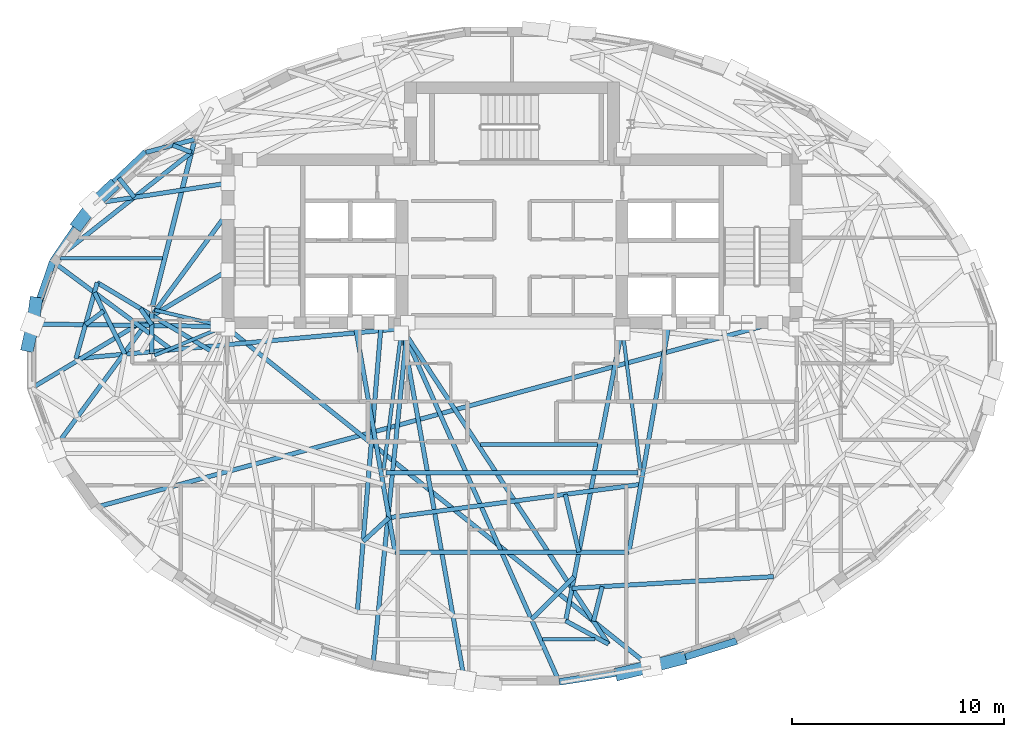
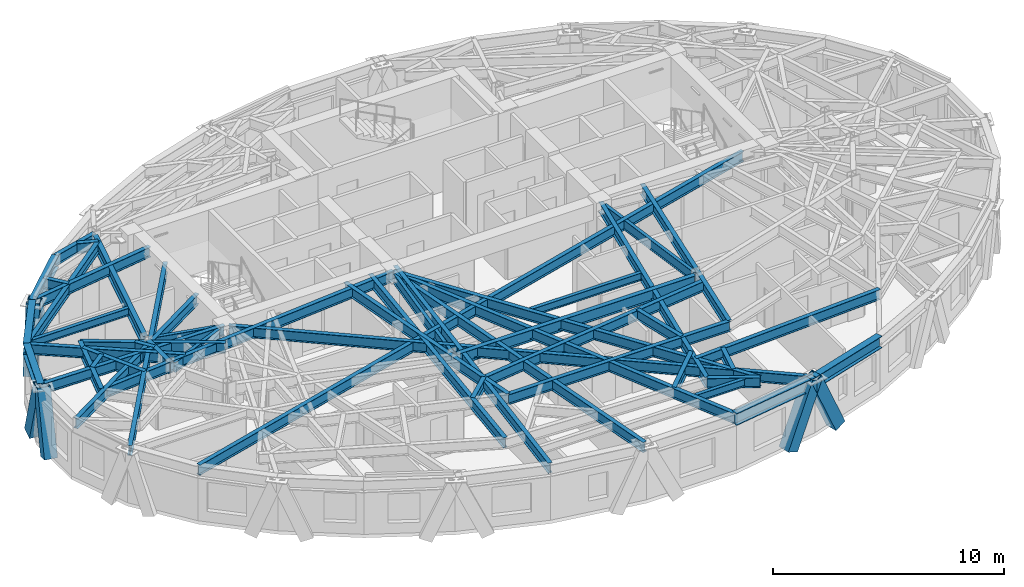
# One storey, part 2 of 14: 48 beams, 6 members.
"""IFC4 building model written with IfcOpenShell, lengths in metres."""

from ifc_helpers import new_model, si_unit, direction, frame, origin, origin_2d, place, context, subcontext, project, spatial, hollow_rectangle, i_section, extrude, material, material_profile, profile_set, type_object, element, save


model = new_model("IFC4")

# Units and contexts
model_context = context("Model", 3, precision=1e-05, world=origin(), true_north=direction((0.0, 1.0)))
body_context = subcontext(model_context, "Body", "Model", "MODEL_VIEW")
ifc_project = project(units=[si_unit("LENGTHUNIT", "METRE"), si_unit("AREAUNIT", "SQUARE_METRE"), si_unit("VOLUMEUNIT", "CUBIC_METRE"), si_unit("PLANEANGLEUNIT", "RADIAN"), si_unit("MASSUNIT", "GRAM", prefix="KILO")], contexts=[model_context])

# Site, building, storey
site_placement = place(None, origin())
site = spatial("IfcSite", under=ifc_project, at=site_placement, CompositionType="ELEMENT")
building_placement = place(site_placement, origin())
building = spatial("IfcBuilding", under=site, at=building_placement, Name="Keldmark Tower", CompositionType="ELEMENT")
storey_placement = place(building_placement, frame((0.0, 0.0, 222.60009765625)))
storey = spatial("IfcBuildingStorey", under=building, at=storey_placement, Name="L62", CompositionType="ELEMENT", Elevation=222.60009765625)

# Beams
ifc_material_1 = material(Name="Steel ASTM A992 Grade 50", Category="steel")
ifc_material_profile_1 = material_profile(ifc_material_1, i_section(OverallWidth=0.177978515625, OverallDepth=0.403076171875, WebThickness=0.007568359375, FlangeThickness=0.010986328125, at=origin_2d()), Name="W16X36")
ifc_profile_set_1 = profile_set([ifc_material_profile_1], Name="Steel ASTM A992 Grade 50")
beam_type_1 = type_object("IfcBeamType", Name="Composite Floor Joist W16X36", PredefinedType="JOIST", material=ifc_profile_set_1)
beam_1_placement = place(storey_placement, frame((1.4423828125, -13.3798828125, 2.768310546875), z_axis=(1.0, 0.0, 0.0), x_axis=(0.0, 1.0, 0.0)))
element("IfcBeam", 1, at=beam_1_placement, inside=storey, type_object=beam_type_1, Name="L62 Composite Floor Joist J03", PredefinedType="JOIST", context=body_context, shape_type="SweptSolid", body=[
    extrude(i_section(OverallWidth=0.177978515625, OverallDepth=0.403076171875, WebThickness=0.007568359375, FlangeThickness=0.010986328125, at=origin_2d()), origin(), (0.0, 0.0, 1.0), 2.47802734375),
])
beam_2_placement = place(storey_placement, frame((-1.498291015625, -4.179931640625, 2.768310546875), z_axis=(1.0, 0.0, 0.0), x_axis=(0.0, 1.0, 0.0)))
element("IfcBeam", 2, at=beam_2_placement, inside=storey, type_object=beam_type_1, Name="L62 Composite Floor Joist J06", PredefinedType="JOIST", context=body_context, shape_type="SweptSolid", body=[
    extrude(i_section(OverallWidth=0.177978515625, OverallDepth=0.403076171875, WebThickness=0.007568359375, FlangeThickness=0.010986328125, at=origin_2d()), origin(), (0.0, 0.0, 1.0), 5.544677734375),
])
beam_3_placement = place(storey_placement, frame((-21.3544921875, 4.6201171875, 2.768310546875), z_axis=(1.0, 0.0, 0.0), x_axis=(0.0, 1.0, 0.0)))
element("IfcBeam", 3, at=beam_3_placement, inside=storey, type_object=beam_type_1, Name="L62 Composite Floor Joist J07", PredefinedType="JOIST", context=body_context, shape_type="SweptSolid", body=[
    extrude(i_section(OverallWidth=0.177978515625, OverallDepth=0.403076171875, WebThickness=0.007568359375, FlangeThickness=0.010986328125, at=origin_2d()), origin(), (0.0, 0.0, 1.0), 4.82958984375),
])

# Members
ifc_material_2 = material(Name="Steel ASTM A572 Grade 50", Category="steel")
ifc_material_profile_2 = material_profile(ifc_material_2, hollow_rectangle(XDim=0.60009765625, YDim=0.60009765625, WallThickness=0.034912109375, at=origin_2d()), Name="BOX600X600X35")
ifc_profile_set_2 = profile_set([ifc_material_profile_2], Name="Steel ASTM A572 Grade 50")
member_type = type_object("IfcMemberType", Name="Diagrid Zone 4 Brace BOX600X600X35", PredefinedType="BRACE", material=ifc_profile_set_2)
member_1_placement = place(storey_placement, frame((-18.95458984375, 7.965576171875, -0.260009765625), z_axis=(-0.257250878837, -0.242416543261, 0.935444388989), x_axis=(0.685811727675, -0.727779000922, 0.0)))
element("IfcMember", 4, at=member_1_placement, inside=storey, type_object=member_type, Name="L62 Perimeter Diagrid Brace 07A", PredefinedType="BRACE", context=body_context, shape_type="SweptSolid", body=[
    extrude(hollow_rectangle(XDim=0.60009765625, YDim=0.60009765625, WallThickness=0.034912109375, at=origin_2d()), origin(), (0.0, 0.0, 1.0), 3.324462890625),
])
member_2_placement = place(storey_placement, frame((-20.477783203125, 6.272705078125, -0.260009765625), z_axis=(0.204034138195, 0.271233220988, 0.94063946881), x_axis=(-0.799137594781, 0.60114815529, 0.0)))
element("IfcMember", 5, at=member_2_placement, inside=storey, type_object=member_type, Name="L62 Perimeter Diagrid Brace 07B", PredefinedType="BRACE", context=body_context, shape_type="SweptSolid", body=[
    extrude(hollow_rectangle(XDim=0.60009765625, YDim=0.60009765625, WallThickness=0.034912109375, at=origin_2d()), origin(), (0.0, 0.0, 1.0), 3.30615234375),
])
member_3_placement = place(storey_placement, frame((-22.511962890625, 2.50146484375, -0.260009765625), z_axis=(-0.042776945378, -0.306381472655, 0.950947173169), x_axis=(0.990393369826, -0.13827860646, 0.0)))
element("IfcMember", 6, at=member_3_placement, inside=storey, type_object=member_type, Name="L62 Perimeter Diagrid Brace 08A", PredefinedType="BRACE", context=body_context, shape_type="SweptSolid", body=[
    extrude(hollow_rectangle(XDim=0.60009765625, YDim=0.60009765625, WallThickness=0.034912109375, at=origin_2d()), origin(), (0.0, 0.0, 1.0), 3.270263671875),
])
member_4_placement = place(storey_placement, frame((-22.87451171875, 0.504638671875, -0.260009765625), z_axis=(0.068703196543, 0.307152468711, 0.949177134022), x_axis=(-0.97588530932, 0.218283904705, 0.0)))
element("IfcMember", 7, at=member_4_placement, inside=storey, type_object=member_type, Name="L62 Perimeter Diagrid Brace 08B", PredefinedType="BRACE", context=body_context, shape_type="SweptSolid", body=[
    extrude(hollow_rectangle(XDim=0.60009765625, YDim=0.60009765625, WallThickness=0.034912109375, at=origin_2d()), origin(), (0.0, 0.0, 1.0), 3.2763671875),
])
member_5_placement = place(storey_placement, frame((5.163818359375, -14.9990234375, -0.260009765625), z_axis=(0.412280141765, 0.098056970592, 0.905764823353), x_axis=(-0.231386114919, 0.972861997317, 0.0)))
element("IfcMember", 8, at=member_5_placement, inside=storey, type_object=member_type, Name="L62 Perimeter Diagrid Brace 13A", PredefinedType="BRACE", context=body_context, shape_type="SweptSolid", body=[
    extrude(hollow_rectangle(XDim=0.60009765625, YDim=0.60009765625, WallThickness=0.034912109375, at=origin_2d()), origin(), (0.0, 0.0, 1.0), 3.433349609375),
])
member_6_placement = place(storey_placement, frame((7.940673828125, -14.31005859375, -0.260009765625), z_axis=(-0.401657220744, -0.103789425883, 0.90988968128), x_axis=(0.250185252225, -0.968197985729, 0.0)))
element("IfcMember", 9, at=member_6_placement, inside=storey, type_object=member_type, Name="L62 Perimeter Diagrid Brace 13B", PredefinedType="BRACE", context=body_context, shape_type="SweptSolid", body=[
    extrude(hollow_rectangle(XDim=0.60009765625, YDim=0.60009765625, WallThickness=0.034912109375, at=origin_2d()), origin(), (0.0, 0.0, 1.0), 3.417724609375),
])

# Beams
ifc_material_3 = material(Name="Steel ASTM A992 Grade 50", Category="steel")
ifc_material_profile_3 = material_profile(ifc_material_3, i_section(OverallWidth=0.22802734375, OverallDepth=0.60302734375, WebThickness=0.010498046875, FlangeThickness=0.014892578125, at=origin_2d()), Name="W24X68")
ifc_profile_set_3 = profile_set([ifc_material_profile_3], Name="Steel ASTM A992 Grade 50")
beam_type_2 = type_object("IfcBeamType", Name="Primary Floor Girder W24X68", PredefinedType="BEAM", material=ifc_profile_set_3)
beam_4_placement = place(storey_placement, frame((-15.030029296875, 10.10791015625, 2.66845703125), z_axis=(-0.244902129455, -0.969547805417, 0.0), x_axis=(0.969547805417, -0.244902129455, 0.0)))
element("IfcBeam", 10, at=beam_4_placement, inside=storey, type_object=beam_type_2, Name="L62 Floor Ring Girder FG-R05", PredefinedType="BEAM", context=body_context, shape_type="SweptSolid", body=[
    extrude(i_section(OverallWidth=0.22802734375, OverallDepth=0.60302734375, WebThickness=0.010498046875, FlangeThickness=0.014892578125, at=origin_2d()), origin(), (0.0, 0.0, 1.0), 8.008056640625),
])
beam_5_placement = place(storey_placement, frame((-17.025634765625, 2.068115234375, 2.66845703125), z_axis=(0.0, -1.0, 0.0), x_axis=(1.0, 0.0, 0.0)))
element("IfcBeam", 11, at=beam_5_placement, inside=storey, type_object=beam_type_2, Name="L62 Floor Ring Girder FG-R06", PredefinedType="BEAM", context=body_context, shape_type="SweptSolid", body=[
    extrude(i_section(OverallWidth=0.22802734375, OverallDepth=0.60302734375, WebThickness=0.010498046875, FlangeThickness=0.014892578125, at=origin_2d()), origin(), (0.0, 0.0, 1.0), 1.9521484375),
])
beam_6_placement = place(storey_placement, frame((-5.949462890625, -5.512939453125, 2.66845703125), z_axis=(1.0, 0.0, 0.0), x_axis=(0.0, 1.0, 0.0)))
element("IfcBeam", 12, at=beam_6_placement, inside=storey, type_object=beam_type_2, Name="L62 Floor Ring Girder FG-R09", PredefinedType="BEAM", context=body_context, shape_type="SweptSolid", body=[
    extrude(i_section(OverallWidth=0.22802734375, OverallDepth=0.60302734375, WebThickness=0.010498046875, FlangeThickness=0.014892578125, at=origin_2d()), origin(), (0.0, 0.0, 1.0), 11.89892578125),
])
ifc_material_4 = material(Name="Steel ASTM A992 Grade 50", Category="steel")
ifc_material_profile_4 = material_profile(ifc_material_4, i_section(OverallWidth=0.166015625, OverallDepth=0.529052734375, WebThickness=0.009765625, FlangeThickness=0.013671875, at=origin_2d()), Name="W21X50")
ifc_profile_set_4 = profile_set([ifc_material_profile_4], Name="Steel ASTM A992 Grade 50")
beam_type_3 = type_object("IfcBeamType", Name="Radial Tie Girder W21X50", PredefinedType="BEAM", material=ifc_profile_set_4)
beam_7_placement = place(storey_placement, frame((-16.889404296875, 2.17578125, 2.705322265625), z_axis=(0.97329039005, -0.229577474147, 0.0), x_axis=(0.229577474147, 0.97329039005, 0.0)))
element("IfcBeam", 13, at=beam_7_placement, inside=storey, type_object=beam_type_3, Name="L62 Floor Radial Girder FG-C06", PredefinedType="BEAM", context=body_context, shape_type="SweptSolid", body=[
    extrude(i_section(OverallWidth=0.166015625, OverallDepth=0.529052734375, WebThickness=0.009765625, FlangeThickness=0.013671875, at=origin_2d()), origin(), (0.0, 0.0, 1.0), 3.0595703125),
])
beam_8_placement = place(storey_placement, frame((-16.896240234375, 0.02978515625, 2.705322265625), z_axis=(0.923403331902, 0.383831065226, 0.0), x_axis=(-0.383831065226, 0.923403331902, 0.0)))
element("IfcBeam", 14, at=beam_8_placement, inside=storey, type_object=beam_type_3, Name="L62 Floor Radial Girder FG-C07", PredefinedType="BEAM", context=body_context, shape_type="SweptSolid", body=[
    extrude(i_section(OverallWidth=0.166015625, OverallDepth=0.529052734375, WebThickness=0.009765625, FlangeThickness=0.013671875, at=origin_2d()), origin(), (0.0, 0.0, 1.0), 3.249755859375),
])
for number, where, z_axis, x_axis, name in (
    (15, (-6.071533203125, -5.3740234375, 2.705322265625), (0.127625044513, 0.991822488157, 0.0), (-0.991822488157, 0.127625044513, 0.0), "L62 Floor Radial Girder FG-C09"),
    (16, (6.071533203125, -5.3740234375, 2.705322265625), (-0.127625044513, 0.991822488157, 0.0), (-0.991822488157, -0.127625044513, 0.0), "L62 Floor Radial Girder FG-C10"),
):
    element("IfcBeam", number, at=place(storey_placement, frame(where, z_axis=z_axis, x_axis=x_axis)), inside=storey, type_object=beam_type_3, Name=name, PredefinedType="BEAM", context=body_context, shape_type="SweptSolid", body=[
        extrude(i_section(OverallWidth=0.166015625, OverallDepth=0.529052734375, WebThickness=0.009765625, FlangeThickness=0.013671875, at=origin_2d()), origin(), (0.0, 0.0, 1.0), 6.509765625),
    ])
ifc_material_5 = material(Name="Steel ASTM A992 Grade 50", Category="steel")
ifc_material_profile_5 = material_profile(ifc_material_5, i_section(OverallWidth=0.2099609375, OverallDepth=0.537109375, WebThickness=0.010986328125, FlangeThickness=0.017333984375, at=origin_2d()), Name="W21X68")
ifc_profile_set_5 = profile_set([ifc_material_profile_5], Name="Steel ASTM A992 Grade 50")
beam_type_4 = type_object("IfcBeamType", Name="Radial Tie Girder W21X68", PredefinedType="BEAM", material=ifc_profile_set_5)
beam_9_placement = place(storey_placement, frame((-5.199951171875, 1.300048828125, 2.701416015625), z_axis=(-0.99576681231, -0.091915480203, 0.0), x_axis=(0.091915480203, -0.99576681231, 0.0)))
element("IfcBeam", 17, at=beam_9_placement, inside=storey, type_object=beam_type_4, Name="L62 Sub-Ring Step Girder STP1-M07", PredefinedType="BEAM", context=body_context, shape_type="SweptSolid", body=[
    extrude(i_section(OverallWidth=0.2099609375, OverallDepth=0.537109375, WebThickness=0.010986328125, FlangeThickness=0.017333984375, at=origin_2d()), origin(), (0.0, 0.0, 1.0), 15.474609375),
])
beam_10_placement = place(storey_placement, frame((-7.43212890625, 1.574951171875, 2.701416015625), z_axis=(0.17319554844, -0.984887456515, 0.0), x_axis=(0.984887456515, 0.17319554844, 0.0)))
element("IfcBeam", 18, at=beam_10_placement, inside=storey, type_object=beam_type_4, Name="L62 Sub-Ring Step Girder STP1-M09", PredefinedType="BEAM", context=body_context, shape_type="SweptSolid", body=[
    extrude(i_section(OverallWidth=0.2099609375, OverallDepth=0.537109375, WebThickness=0.010986328125, FlangeThickness=0.017333984375, at=origin_2d()), origin(), (0.0, 0.0, 1.0), 11.0048828125),
])
beam_11_placement = place(storey_placement, frame((-5.81201171875, -7.637939453125, 2.701416015625), z_axis=(0.991354260266, 0.131212539997, 0.0), x_axis=(-0.131212539997, 0.991354260266, 0.0)))
element("IfcBeam", 19, at=beam_11_placement, inside=storey, type_object=beam_type_4, Name="L62 Framing Pin Header PH-004", PredefinedType="BEAM", context=body_context, shape_type="SweptSolid", body=[
    extrude(i_section(OverallWidth=0.2099609375, OverallDepth=0.537109375, WebThickness=0.010986328125, FlangeThickness=0.017333984375, at=origin_2d()), origin(), (0.0, 0.0, 1.0), 12.0048828125),
])
beam_12_placement = place(storey_placement, frame((7.43212890625, 1.574951171875, 2.701416015625), z_axis=(-0.17319554844, -0.984887456515, 0.0), x_axis=(0.984887456515, -0.17319554844, 0.0)))
element("IfcBeam", 20, at=beam_12_placement, inside=storey, type_object=beam_type_4, Name="L62 Sub-Ring Step Girder STP1-M10", PredefinedType="BEAM", context=body_context, shape_type="SweptSolid", body=[
    extrude(i_section(OverallWidth=0.2099609375, OverallDepth=0.537109375, WebThickness=0.010986328125, FlangeThickness=0.017333984375, at=origin_2d()), origin(), (0.0, 0.0, 1.0), 11.0048828125),
])
beam_13_placement = place(storey_placement, frame((-5.526123046875, -9.263671875, 2.701416015625), z_axis=(1.0, 0.0, 0.0), x_axis=(0.0, 1.0, 0.0)))
element("IfcBeam", 21, at=beam_13_placement, inside=storey, type_object=beam_type_4, Name="L62 Perimeter Collector Ring Beam CRG1-M09", PredefinedType="BEAM", context=body_context, shape_type="SweptSolid", body=[
    extrude(i_section(OverallWidth=0.2099609375, OverallDepth=0.537109375, WebThickness=0.010986328125, FlangeThickness=0.017333984375, at=origin_2d()), origin(), (0.0, 0.0, 1.0), 11.05224609375),
])
beam_14_placement = place(storey_placement, frame((-5.81201171875, -7.637939453125, 2.701416015625), z_axis=(-0.736191196168, -0.67677361258, 0.0), x_axis=(0.67677361258, -0.736191196168, 0.0)))
element("IfcBeam", 22, at=beam_14_placement, inside=storey, type_object=beam_type_4, Name="L62 Framing Pin Header PH-009", PredefinedType="BEAM", context=body_context, shape_type="SweptSolid", body=[
    extrude(i_section(OverallWidth=0.2099609375, OverallDepth=0.537109375, WebThickness=0.010986328125, FlangeThickness=0.017333984375, at=origin_2d()), origin(), (0.0, 0.0, 1.0), 1.6640625),
])
beam_15_placement = place(storey_placement, frame((-6.1787109375, 1.574951171875, 2.701416015625), z_axis=(-0.082740586348, -0.996571119073, 0.0), x_axis=(0.996571119073, -0.082740586348, 0.0)))
element("IfcBeam", 23, at=beam_15_placement, inside=storey, type_object=beam_type_4, Name="L62 Sub-Ring Step Girder STP2-M09", PredefinedType="BEAM", context=body_context, shape_type="SweptSolid", body=[
    extrude(i_section(OverallWidth=0.2099609375, OverallDepth=0.537109375, WebThickness=0.010986328125, FlangeThickness=0.017333984375, at=origin_2d()), origin(), (0.0, 0.0, 1.0), 13.7177734375),
])
beam_16_placement = place(storey_placement, frame((2.518798828125, -6.535400390625, 2.701416015625), z_axis=(0.230490251207, -0.973074634393, 0.0), x_axis=(0.973074634393, 0.230490251207, 0.0)))
element("IfcBeam", 24, at=beam_16_placement, inside=storey, type_object=beam_type_4, Name="L62 Framing Pin Header PH-010", PredefinedType="BEAM", context=body_context, shape_type="SweptSolid", body=[
    extrude(i_section(OverallWidth=0.2099609375, OverallDepth=0.537109375, WebThickness=0.010986328125, FlangeThickness=0.017333984375, at=origin_2d()), origin(), (0.0, 0.0, 1.0), 2.8037109375),
])
beam_17_placement = place(storey_placement, frame((5.199951171875, 1.300048828125, 2.701416015625), z_axis=(-0.189149272967, -0.981948345147, 0.0), x_axis=(0.981948345147, -0.189149272967, 0.0)))
element("IfcBeam", 25, at=beam_17_placement, inside=storey, type_object=beam_type_4, Name="L62 Sub-Ring Step Girder STP2-M10", PredefinedType="BEAM", context=body_context, shape_type="SweptSolid", body=[
    extrude(i_section(OverallWidth=0.2099609375, OverallDepth=0.537109375, WebThickness=0.010986328125, FlangeThickness=0.017333984375, at=origin_2d()), origin(), (0.0, 0.0, 1.0), 14.067626953125),
])
beam_18_placement = place(storey_placement, frame((-14.995849609375, 10.24365234375, 2.701416015625), z_axis=(-0.966224746964, -0.257700869914, 0.0), x_axis=(0.257700869914, -0.966224746964, 0.0)))
element("IfcBeam", 26, at=beam_18_placement, inside=storey, type_object=beam_type_4, Name="L62 Perimeter Column Bracket RT-13", PredefinedType="BEAM", context=body_context, shape_type="SweptSolid", body=[
    extrude(i_section(OverallWidth=0.2099609375, OverallDepth=0.537109375, WebThickness=0.010986328125, FlangeThickness=0.017333984375, at=origin_2d()), origin(), (0.0, 0.0, 1.0), 2.385498046875),
])
beam_19_placement = place(storey_placement, frame((-16.032958984375, 9.967041015625, 2.701416015625), z_axis=(0.934467252694, -0.35604908881, 0.0), x_axis=(0.35604908881, 0.934467252694, 0.0)))
element("IfcBeam", 27, at=beam_19_placement, inside=storey, type_object=beam_type_4, Name="L62 Framing Pin Header PH-018", PredefinedType="BEAM", context=body_context, shape_type="SweptSolid", body=[
    extrude(i_section(OverallWidth=0.2099609375, OverallDepth=0.537109375, WebThickness=0.010986328125, FlangeThickness=0.017333984375, at=origin_2d()), origin(), (0.0, 0.0, 1.0), 0.944091796875),
])
beam_20_placement = place(storey_placement, frame((-17.025634765625, 1.482421875, 2.701416015625), z_axis=(-0.575332034647, 0.817919953241, 0.0), x_axis=(-0.817919953241, -0.575332034647, 0.0)))
element("IfcBeam", 28, at=beam_20_placement, inside=storey, type_object=beam_type_4, Name="L62 Framing Pin Header PH-019", PredefinedType="BEAM", context=body_context, shape_type="SweptSolid", body=[
    extrude(i_section(OverallWidth=0.2099609375, OverallDepth=0.537109375, WebThickness=0.010986328125, FlangeThickness=0.017333984375, at=origin_2d()), origin(), (0.0, 0.0, 1.0), 0.93701171875),
])
beam_21_placement = place(storey_placement, frame((-14.197021484375, 0.225341796875, 2.701416015625), z_axis=(-0.85718890047, 0.515002125152, 0.0), x_axis=(-0.515002125152, -0.85718890047, 0.0)))
element("IfcBeam", 29, at=beam_21_placement, inside=storey, type_object=beam_type_4, Name="L62 Intermediate Radial Step Girder RT-15M", PredefinedType="BEAM", context=body_context, shape_type="SweptSolid", body=[
    extrude(i_section(OverallWidth=0.2099609375, OverallDepth=0.537109375, WebThickness=0.010986328125, FlangeThickness=0.017333984375, at=origin_2d()), origin(), (0.0, 0.0, 1.0), 6.309326171875),
])
beam_22_placement = place(storey_placement, frame((-20.609130859375, -0.122314453125, 2.701416015625), z_axis=(0.268827178227, 0.963188428215, 0.0), x_axis=(-0.963188428215, 0.268827178227, 0.0)))
element("IfcBeam", 30, at=beam_22_placement, inside=storey, type_object=beam_type_4, Name="L62 Local Collector Chord RT-15C", PredefinedType="BEAM", context=body_context, shape_type="SweptSolid", body=[
    extrude(i_section(OverallWidth=0.2099609375, OverallDepth=0.537109375, WebThickness=0.010986328125, FlangeThickness=0.017333984375, at=origin_2d()), origin(), (0.0, 0.0, 1.0), 3.734375),
])
beam_23_placement = place(storey_placement, frame((-18.2978515625, 0.091064453125, 2.701416015625), z_axis=(-0.442849676783, 0.896595875394, 0.0), x_axis=(-0.896595875394, -0.442849676783, 0.0)))
element("IfcBeam", 31, at=beam_23_placement, inside=storey, type_object=beam_type_4, Name="L62 Framing Pin Header PH-020", PredefinedType="BEAM", context=body_context, shape_type="SweptSolid", body=[
    extrude(i_section(OverallWidth=0.2099609375, OverallDepth=0.537109375, WebThickness=0.010986328125, FlangeThickness=0.017333984375, at=origin_2d()), origin(), (0.0, 0.0, 1.0), 3.248779296875),
])
beam_24_placement = place(storey_placement, frame((-16.14599609375, 0.341552734375, 2.701416015625), z_axis=(-0.803287923857, 0.595590892631, 0.0), x_axis=(-0.595590892631, -0.803287923857, 0.0)))
element("IfcBeam", 32, at=beam_24_placement, inside=storey, type_object=beam_type_4, Name="L62 Perimeter Radial Tie Girder RT-15", PredefinedType="BEAM", context=body_context, shape_type="SweptSolid", body=[
    extrude(i_section(OverallWidth=0.2099609375, OverallDepth=0.537109375, WebThickness=0.010986328125, FlangeThickness=0.017333984375, at=origin_2d()), origin(), (0.0, 0.0, 1.0), 6.924560546875),
])
beam_25_placement = place(storey_placement, frame((-19.304931640625, 2.1298828125, 2.701416015625), z_axis=(-0.798302751823, -0.602256354413, 0.0), x_axis=(0.602256354413, -0.798302751823, 0.0)))
element("IfcBeam", 33, at=beam_25_placement, inside=storey, type_object=beam_type_4, Name="L62 Framing Pin Header PH-021", PredefinedType="BEAM", context=body_context, shape_type="SweptSolid", body=[
    extrude(i_section(OverallWidth=0.2099609375, OverallDepth=0.537109375, WebThickness=0.010986328125, FlangeThickness=0.017333984375, at=origin_2d()), origin(), (0.0, 0.0, 1.0), 1.072265625),
])
beam_26_placement = place(storey_placement, frame((-13.60009765625, 1.39990234375, 2.701416015625), z_axis=(-0.999917602588, 0.012836979219, 0.0), x_axis=(-0.012836979219, -0.999917602588, 0.0)))
element("IfcBeam", 34, at=beam_26_placement, inside=storey, type_object=beam_type_4, Name="L62 Perimeter Radial Tie Girder RT-16", PredefinedType="BEAM", context=body_context, shape_type="SweptSolid", body=[
    extrude(i_section(OverallWidth=0.2099609375, OverallDepth=0.537109375, WebThickness=0.010986328125, FlangeThickness=0.017333984375, at=origin_2d()), origin(), (0.0, 0.0, 1.0), 9.10986328125),
])
beam_27_placement = place(storey_placement, frame((-13.425048828125, 4.050048828125, 2.701416015625), z_axis=(-0.857640147497, -0.514250306175, 0.0), x_axis=(0.514250306175, -0.857640147497, 0.0)))
element("IfcBeam", 35, at=beam_27_placement, inside=storey, type_object=beam_type_4, Name="L62 Perimeter Radial Tie Girder RT-17", PredefinedType="BEAM", context=body_context, shape_type="SweptSolid", body=[
    extrude(i_section(OverallWidth=0.2099609375, OverallDepth=0.537109375, WebThickness=0.010986328125, FlangeThickness=0.017333984375, at=origin_2d()), origin(), (0.0, 0.0, 1.0), 10.8251953125),
])
beam_28_placement = place(storey_placement, frame((-13.425048828125, 6.800048828125, 2.701416015625), z_axis=(-0.592377451487, -0.805660570569, 0.0), x_axis=(0.805660570569, -0.592377451487, 0.0)))
element("IfcBeam", 36, at=beam_28_placement, inside=storey, type_object=beam_type_4, Name="L62 Perimeter Radial Tie Girder RT-18", PredefinedType="BEAM", context=body_context, shape_type="SweptSolid", body=[
    extrude(i_section(OverallWidth=0.2099609375, OverallDepth=0.537109375, WebThickness=0.010986328125, FlangeThickness=0.017333984375, at=origin_2d()), origin(), (0.0, 0.0, 1.0), 13.9833984375),
])
beam_29_placement = place(storey_placement, frame((12.4462890625, 1.574951171875, 2.701416015625), z_axis=(-0.965044360901, -0.262086591593, 0.0), x_axis=(0.262086591593, -0.965044360901, 0.0)))
element("IfcBeam", 37, at=beam_29_placement, inside=storey, type_object=beam_type_4, Name="L62 Perimeter Radial Tie Girder RT-19", PredefinedType="BEAM", context=body_context, shape_type="SweptSolid", body=[
    extrude(i_section(OverallWidth=0.2099609375, OverallDepth=0.537109375, WebThickness=0.010986328125, FlangeThickness=0.017333984375, at=origin_2d()), origin(), (0.0, 0.0, 1.0), 33.47265625),
])
beam_30_placement = place(storey_placement, frame((-4.925048828125, 1.574951171875, 2.701416015625), z_axis=(-0.10134361125, -0.994851482614, 0.0), x_axis=(0.994851482614, -0.10134361125, 0.0)))
element("IfcBeam", 38, at=beam_30_placement, inside=storey, type_object=beam_type_4, Name="L62 Perimeter Radial Tie Girder RT-23", PredefinedType="BEAM", context=body_context, shape_type="SweptSolid", body=[
    extrude(i_section(OverallWidth=0.2099609375, OverallDepth=0.537109375, WebThickness=0.010986328125, FlangeThickness=0.017333984375, at=origin_2d()), origin(), (0.0, 0.0, 1.0), 16.38134765625),
])
beam_31_placement = place(storey_placement, frame((-5.199951171875, 1.300048828125, 2.701416015625), z_axis=(0.174697526669, -0.984622147921, 0.0), x_axis=(0.984622147921, 0.174697526669, 0.0)))
element("IfcBeam", 39, at=beam_31_placement, inside=storey, type_object=beam_type_4, Name="L62 Perimeter Radial Tie Girder RT-24", PredefinedType="BEAM", context=body_context, shape_type="SweptSolid", body=[
    extrude(i_section(OverallWidth=0.2099609375, OverallDepth=0.537109375, WebThickness=0.010986328125, FlangeThickness=0.017333984375, at=origin_2d()), origin(), (0.0, 0.0, 1.0), 16.96142578125),
])
beam_32_placement = place(storey_placement, frame((2.938232421875, -10.441650390625, 2.701416015625), z_axis=(-0.709592496205, -0.704612297175, 0.0), x_axis=(0.704612297175, -0.709592496205, 0.0)))
element("IfcBeam", 40, at=beam_32_placement, inside=storey, type_object=beam_type_4, Name="L62 Framing Pin Header PH-030", PredefinedType="BEAM", context=body_context, shape_type="SweptSolid", body=[
    extrude(i_section(OverallWidth=0.2099609375, OverallDepth=0.537109375, WebThickness=0.010986328125, FlangeThickness=0.017333984375, at=origin_2d()), origin(), (0.0, 0.0, 1.0), 2.84326171875),
])
beam_33_placement = place(storey_placement, frame((-5.199951171875, 1.300048828125, 2.701416015625), z_axis=(0.406788874663, -0.913522200853, 0.0), x_axis=(0.913522200853, 0.406788874663, 0.0)))
element("IfcBeam", 41, at=beam_33_placement, inside=storey, type_object=beam_type_4, Name="L62 Perimeter Radial Tie Girder RT-25", PredefinedType="BEAM", context=body_context, shape_type="SweptSolid", body=[
    extrude(i_section(OverallWidth=0.2099609375, OverallDepth=0.537109375, WebThickness=0.010986328125, FlangeThickness=0.017333984375, at=origin_2d()), origin(), (0.0, 0.0, 1.0), 18.28173828125),
])
beam_34_placement = place(storey_placement, frame((12.36328125, -10.426025390625, 2.701416015625), z_axis=(-0.998324717927, -0.057859809679, 0.0), x_axis=(0.057859809679, -0.998324717927, 0.0)))
element("IfcBeam", 42, at=beam_34_placement, inside=storey, type_object=beam_type_4, Name="L62 Framing Pin Header PH-031", PredefinedType="BEAM", context=body_context, shape_type="SweptSolid", body=[
    extrude(i_section(OverallWidth=0.2099609375, OverallDepth=0.537109375, WebThickness=0.010986328125, FlangeThickness=0.017333984375, at=origin_2d()), origin(), (0.0, 0.0, 1.0), 9.54443359375),
])
beam_35_placement = place(storey_placement, frame((-5.199951171875, 1.300048828125, 2.701416015625), z_axis=(0.547559990574, -0.836766429012, 0.0), x_axis=(0.836766429012, 0.547559990574, 0.0)))
element("IfcBeam", 43, at=beam_35_placement, inside=storey, type_object=beam_type_4, Name="L62 Intermediate Radial Step Girder RT-26M", PredefinedType="BEAM", context=body_context, shape_type="SweptSolid", body=[
    extrude(i_section(OverallWidth=0.2099609375, OverallDepth=0.537109375, WebThickness=0.010986328125, FlangeThickness=0.017333984375, at=origin_2d()), origin(), (0.0, 0.0, 1.0), 17.828125),
])
beam_36_placement = place(storey_placement, frame((2.5390625, -12.513671875, 2.701416015625), z_axis=(0.877745741929, -0.479126718651, 0.0), x_axis=(0.479126718651, 0.877745741929, 0.0)))
element("IfcBeam", 44, at=beam_36_placement, inside=storey, type_object=beam_type_4, Name="L62 Local Collector Chord RT-26C", PredefinedType="BEAM", context=body_context, shape_type="SweptSolid", body=[
    extrude(i_section(OverallWidth=0.2099609375, OverallDepth=0.537109375, WebThickness=0.010986328125, FlangeThickness=0.017333984375, at=origin_2d()), origin(), (0.0, 0.0, 1.0), 2.3046875),
])
beam_37_placement = place(storey_placement, frame((4.26416015625, -10.8955078125, 2.701416015625), z_axis=(-0.243147460938, -0.969989336147, 0.0), x_axis=(0.969989336147, -0.243147460938, 0.0)))
element("IfcBeam", 45, at=beam_37_placement, inside=storey, type_object=beam_type_4, Name="L62 Framing Pin Header PH-032", PredefinedType="BEAM", context=body_context, shape_type="SweptSolid", body=[
    extrude(i_section(OverallWidth=0.2099609375, OverallDepth=0.537109375, WebThickness=0.010986328125, FlangeThickness=0.017333984375, at=origin_2d()), origin(), (0.0, 0.0, 1.0), 1.68994140625),
])
beam_38_placement = place(storey_placement, frame((-13.425048828125, 1.300048828125, 2.701416015625), z_axis=(0.780602067669, -0.625028328919, 0.0), x_axis=(0.625028328919, 0.780602067669, 0.0)))
element("IfcBeam", 46, at=beam_38_placement, inside=storey, type_object=beam_type_4, Name="L62 Perimeter Radial Tie Girder RT-26", PredefinedType="BEAM", context=body_context, shape_type="SweptSolid", body=[
    extrude(i_section(OverallWidth=0.2099609375, OverallDepth=0.537109375, WebThickness=0.010986328125, FlangeThickness=0.017333984375, at=origin_2d()), origin(), (0.0, 0.0, 1.0), 25.63427734375),
])
beam_39_placement = place(storey_placement, frame((-15.150634765625, 9.630859375, 2.701416015625), z_axis=(-0.785594198701, -0.61874207467, 0.0), x_axis=(0.61874207467, -0.785594198701, 0.0)))
element("IfcBeam", 47, at=beam_39_placement, inside=storey, type_object=beam_type_4, Name="L62 Straddling Support Chord RT-14RB", PredefinedType="BEAM", context=body_context, shape_type="SweptSolid", body=[
    extrude(i_section(OverallWidth=0.2099609375, OverallDepth=0.537109375, WebThickness=0.010986328125, FlangeThickness=0.017333984375, at=origin_2d()), origin(), (0.0, 0.0, 1.0), 8.34765625),
])
beam_40_placement = place(storey_placement, frame((-18.57861328125, 8.413330078125, 2.701416015625), z_axis=(0.622596511963, -0.782543023285, 0.0), x_axis=(0.782543023285, 0.622596511963, 0.0)))
element("IfcBeam", 48, at=beam_40_placement, inside=storey, type_object=beam_type_4, Name="L62 Framing Pin Header PH-044", PredefinedType="BEAM", context=body_context, shape_type="SweptSolid", body=[
    extrude(i_section(OverallWidth=0.2099609375, OverallDepth=0.537109375, WebThickness=0.010986328125, FlangeThickness=0.017333984375, at=origin_2d()), origin(), (0.0, 0.0, 1.0), 1.16455078125),
])
beam_41_placement = place(storey_placement, frame((-13.425048828125, 8.175048828125, 2.701416015625), z_axis=(-0.988649881443, -0.150237851166, 0.0), x_axis=(0.150237851166, -0.988649881443, 0.0)))
element("IfcBeam", 49, at=beam_41_placement, inside=storey, type_object=beam_type_4, Name="L62 Perimeter Radial Tie Girder RT-14R", PredefinedType="BEAM", context=body_context, shape_type="SweptSolid", body=[
    extrude(i_section(OverallWidth=0.2099609375, OverallDepth=0.537109375, WebThickness=0.010986328125, FlangeThickness=0.017333984375, at=origin_2d()), origin(), (0.0, 0.0, 1.0), 6.5048828125),
])
ifc_material_6 = material(Name="Steel ASTM A992 Grade 50", Category="steel")
ifc_material_profile_6 = material_profile(ifc_material_6, i_section(OverallWidth=0.326904296875, OverallDepth=0.6220703125, WebThickness=0.015380859375, FlangeThickness=0.0244140625, at=origin_2d()), Name="W24X131")
ifc_profile_set_6 = profile_set([ifc_material_profile_6], Name="Steel ASTM A992 Grade 50")
beam_type_5 = type_object("IfcBeamType", Name="Spandrel Ring Beam W24X131", PredefinedType="SPANDREL", material=ifc_profile_set_6)
beam_42_placement = place(storey_placement, frame((-17.30078125, 9.62890625, 2.658935546875), z_axis=(-0.724503260132, -0.689271373306, 0.0), x_axis=(0.689271373306, -0.724503260132, 0.0)))
element("IfcBeam", 50, at=beam_42_placement, inside=storey, type_object=beam_type_5, Name="L62 Perimeter Spandrel Ring Beam SRB-13", PredefinedType="SPANDREL", context=body_context, shape_type="SweptSolid", body=[
    extrude(i_section(OverallWidth=0.326904296875, OverallDepth=0.6220703125, WebThickness=0.015380859375, FlangeThickness=0.0244140625, at=origin_2d()), origin(), (0.0, 0.0, 1.0), 3.527099609375),
])
beam_43_placement = place(storey_placement, frame((-19.856201171875, 7.19775390625, 2.658935546875), z_axis=(-0.561186647073, -0.827689281764, 0.0), x_axis=(0.827689281764, -0.561186647073, 0.0)))
element("IfcBeam", 51, at=beam_43_placement, inside=storey, type_object=beam_type_5, Name="L62 Perimeter Spandrel Ring Beam SRB-14", PredefinedType="SPANDREL", context=body_context, shape_type="SweptSolid", body=[
    extrude(i_section(OverallWidth=0.326904296875, OverallDepth=0.6220703125, WebThickness=0.015380859375, FlangeThickness=0.0244140625, at=origin_2d()), origin(), (0.0, 0.0, 1.0), 3.30078125),
])
beam_44_placement = place(storey_placement, frame((-21.70849609375, 4.4658203125, 2.658935546875), z_axis=(-0.321350327807, -0.946960382919, 0.0), x_axis=(0.946960382919, -0.321350327807, 0.0)))
element("IfcBeam", 52, at=beam_44_placement, inside=storey, type_object=beam_type_5, Name="L62 Perimeter Spandrel Ring Beam SRB-15", PredefinedType="SPANDREL", context=body_context, shape_type="SweptSolid", body=[
    extrude(i_section(OverallWidth=0.326904296875, OverallDepth=0.6220703125, WebThickness=0.015380859375, FlangeThickness=0.0244140625, at=origin_2d()), origin(), (0.0, 0.0, 1.0), 3.1142578125),
])
beam_45_placement = place(storey_placement, frame((2.23681640625, -15.400634765625, 2.658935546875), z_axis=(0.988045590858, 0.15416196154, 0.0), x_axis=(-0.15416196154, 0.988045590858, 0.0)))
element("IfcBeam", 53, at=beam_45_placement, inside=storey, type_object=beam_type_5, Name="L62 Perimeter Spandrel Ring Beam SRB-25", PredefinedType="SPANDREL", context=body_context, shape_type="SweptSolid", body=[
    extrude(i_section(OverallWidth=0.326904296875, OverallDepth=0.6220703125, WebThickness=0.015380859375, FlangeThickness=0.0244140625, at=origin_2d()), origin(), (0.0, 0.0, 1.0), 4.40087890625),
])
beam_46_placement = place(storey_placement, frame((6.585205078125, -14.72216796875, 2.658935546875), z_axis=(0.954643532685, 0.297751113352, 0.0), x_axis=(-0.297751113352, 0.954643532685, 0.0)))
element("IfcBeam", 54, at=beam_46_placement, inside=storey, type_object=beam_type_5, Name="L62 Perimeter Spandrel Ring Beam SRB-26", PredefinedType="SPANDREL", context=body_context, shape_type="SweptSolid", body=[
    extrude(i_section(OverallWidth=0.326904296875, OverallDepth=0.6220703125, WebThickness=0.015380859375, FlangeThickness=0.0244140625, at=origin_2d()), origin(), (0.0, 0.0, 1.0), 4.219482421875),
])

save(model, "model.ifc")
